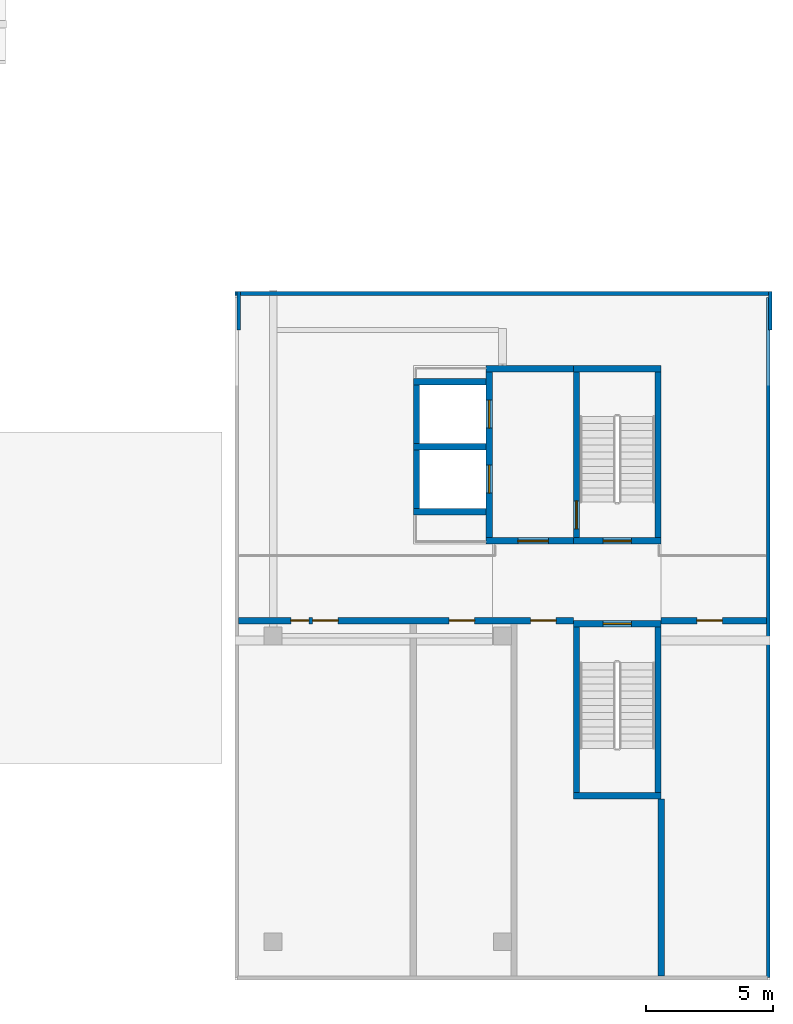
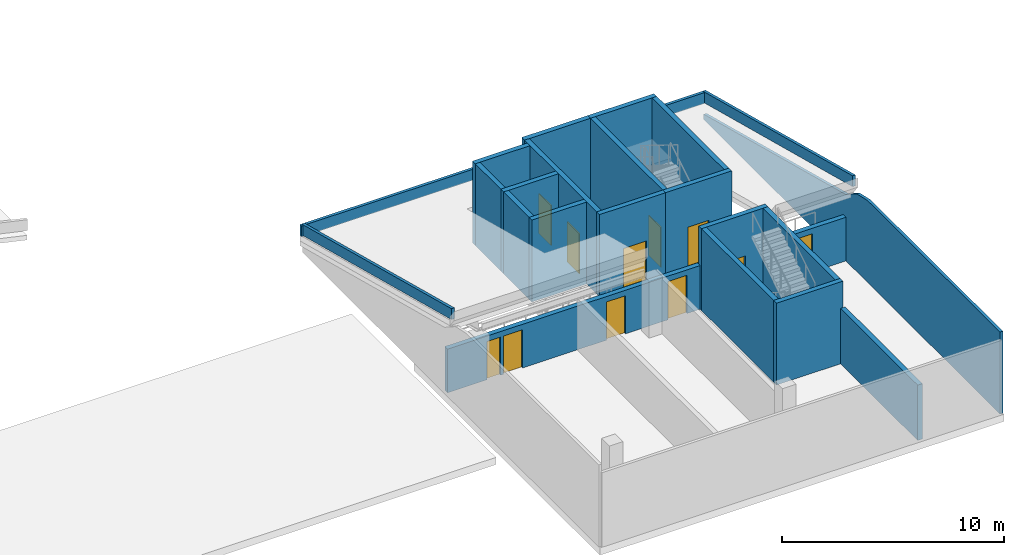
# One storey, part 2 of 4: 23 walls, 11 doors, 11 openings.
"""IFC4 building model written with IfcOpenShell, lengths in metres."""

from ifc_helpers import new_model, si_unit, direction, frame, frame_2d, origin, place, context, subcontext, project, spatial, polyline, rectangle, outline, extrude, material, layer, layer_set, type_object, element, fill, save


model = new_model("IFC4")

# Units and contexts
model_context = context("Model", 3, precision=1e-05, world=origin(), true_north=direction((0.0, 1.0)))
body_context = subcontext(model_context, "Body", "Model", "MODEL_VIEW")
ifc_project = project(units=[si_unit("LENGTHUNIT", "METRE"), si_unit("AREAUNIT", "SQUARE_METRE"), si_unit("VOLUMEUNIT", "CUBIC_METRE"), si_unit("PLANEANGLEUNIT", "RADIAN"), si_unit("MASSUNIT", "GRAM", prefix="KILO")], contexts=[model_context])

# Site, building, storey
site_placement = place(None, origin())
site = spatial("IfcSite", under=ifc_project, at=site_placement, CompositionType="ELEMENT")
building_placement = place(site_placement, origin())
building = spatial("IfcBuilding", under=site, at=building_placement, Name="Chenar Terraces", CompositionType="ELEMENT")
storey_placement = place(building_placement, frame((0.0, 0.0, 388.89990234375)))
storey = spatial("IfcBuildingStorey", under=building, at=storey_placement, Name="L91", CompositionType="ELEMENT", Elevation=388.89990234375)

# Wall, opening, door
ifc_material_1 = material(Name="Concrete C40/50", Category="concrete")
ifc_layer_1 = layer(ifc_material_1, 0.25)
ifc_layer_set_1 = layer_set([ifc_layer_1], Name="Concrete C40/50")
wall_type_1 = type_object("IfcWallType", Name="Core wall 250 Concrete C40/50", PredefinedType="SHEAR", material=ifc_layer_set_1)
wall_1_placement = place(storey_placement, frame((47.77490234375, 15.72509765625, 0.0), z_axis=(0.0, 0.0, 1.0), x_axis=(1.0, 0.0, 0.0)))
wall_1 = element("IfcWall", 1, at=wall_1_placement, inside=storey, type_object=wall_type_1, Name="Core wall ST3_S L91", PredefinedType="SHEAR", context=body_context, shape_type="SweptSolid", body=[
    extrude(rectangle(XDim=3.4501953125, YDim=0.25, at=frame_2d((1.72509765625, 0.0))), origin(), (0.0, 0.0, 1.0), 4.5),
])
opening_1_placement = place(wall_1_placement, frame((1.175048828125, 0.0, 0.0)))
opening_1 = element("IfcOpeningElement", 2, at=opening_1_placement, cuts=wall_1, Name="Opening DL91-C1", PredefinedType="OPENING", context=body_context, shape_type="SweptSolid", body=[
    extrude(rectangle(XDim=1.10009765625, YDim=2.199951171875, at=frame_2d((0.550048828125, 1.10009765625))), frame((0.0, 0.135009765625, 0.0), z_axis=(0.0, -1.0, 0.0), x_axis=(1.0, 0.0, 0.0)), (0.0, 0.0, 1.0), 0.27001953125),
])
ifc_material_2 = material(Name="Steel-framed fire-resisting door leaf", Category="steel")
door_type_1 = type_object("IfcDoorType", Name="Stair fire door FD60 1100 x 2200", OperationType="SINGLE_SWING_LEFT", PredefinedType="DOOR", material=ifc_material_2)
door_1_placement = place(opening_1_placement, frame((1.10009765625, 0.0, 0.0), z_axis=(0.0, 0.0, 1.0), x_axis=(-1.0, 0.0, 0.0)))
door_1 = element("IfcDoor", 3, at=door_1_placement, inside=storey, type_object=door_type_1, Name="Stair door DL91-C1", OperationType="SINGLE_SWING_LEFT", OverallHeight=2.199951171875, OverallWidth=1.10009765625, PredefinedType="DOOR", context=body_context, shape_type="SweptSolid", body=[
    extrude(rectangle(XDim=1.10009765625, YDim=2.199951171875, at=frame_2d((0.550048828125, 1.10009765625))), frame((0.0, 0.02490234375, 0.0), z_axis=(0.0, -1.0, 0.0), x_axis=(1.0, 0.0, 0.0)), (0.0, 0.0, 1.0), 0.050048828125),
])
fill(opening_1, door_1)

# Wall
wall_2_placement = place(storey_placement, frame((47.77490234375, 22.47509765625, 0.0), z_axis=(0.0, 0.0, 1.0), x_axis=(1.0, 0.0, 0.0)))
element("IfcWall", 4, at=wall_2_placement, inside=storey, type_object=wall_type_1, Name="Core wall ST3_N L91", PredefinedType="SHEAR", context=body_context, shape_type="SweptSolid", body=[
    extrude(rectangle(XDim=3.4501953125, YDim=0.25, at=frame_2d((1.72509765625, 0.0))), origin(), (0.0, 0.0, 1.0), 4.5),
])

# Wall, opening, door
wall_3_placement = place(storey_placement, frame((47.89990234375, 15.85009765625, 0.0), z_axis=(0.0, 0.0, 1.0), x_axis=(0.0, 1.0, 0.0)))
wall_3 = element("IfcWall", 5, at=wall_3_placement, inside=storey, type_object=wall_type_1, Name="Core wall ST3_W L91", PredefinedType="SHEAR", context=body_context, shape_type="SweptSolid", body=[
    extrude(rectangle(XDim=6.5, YDim=0.25, at=frame_2d((3.25, 0.0))), origin(), (0.0, 0.0, 1.0), 4.5),
])
opening_2_placement = place(wall_3_placement, frame((0.35009765625, 0.0, 0.0)))
opening_2 = element("IfcOpeningElement", 6, at=opening_2_placement, cuts=wall_3, Name="Opening DL91-C5", PredefinedType="OPENING", context=body_context, shape_type="SweptSolid", body=[
    extrude(rectangle(XDim=1.10009765625, YDim=2.199951171875, at=frame_2d((0.550048828125, 1.10009765625))), frame((0.0, 0.135009765625, 0.0), z_axis=(0.0, -1.0, 0.0), x_axis=(1.0, 0.0, 0.0)), (0.0, 0.0, 1.0), 0.27001953125),
])
door_2_placement = place(opening_2_placement, frame((1.10009765625, 0.0, 0.0), z_axis=(0.0, 0.0, 1.0), x_axis=(-1.0, 0.0, 0.0)))
door_2 = element("IfcDoor", 7, at=door_2_placement, inside=storey, type_object=door_type_1, Name="Stair door DL91-C5", OperationType="SINGLE_SWING_RIGHT", OverallHeight=2.199951171875, OverallWidth=1.10009765625, PredefinedType="DOOR", context=body_context, shape_type="SweptSolid", body=[
    extrude(rectangle(XDim=1.10009765625, YDim=2.199951171875, at=frame_2d((0.550048828125, 1.10009765625))), frame((0.0, 0.02490234375, 0.0), z_axis=(0.0, -1.0, 0.0), x_axis=(1.0, 0.0, 0.0)), (0.0, 0.0, 1.0), 0.050048828125),
])
fill(opening_2, door_2)

# Walls
wall_4_placement = place(storey_placement, frame((51.10009765625, 15.85009765625, 0.0), z_axis=(0.0, 0.0, 1.0), x_axis=(0.0, 1.0, 0.0)))
element("IfcWall", 8, at=wall_4_placement, inside=storey, type_object=wall_type_1, Name="Core wall ST3_E L91", PredefinedType="SHEAR", context=body_context, shape_type="SweptSolid", body=[
    extrude(rectangle(XDim=6.5, YDim=0.25, at=frame_2d((3.25, 0.0))), origin(), (0.0, 0.0, 1.0), 4.5),
])
wall_5_placement = place(storey_placement, frame((47.77490234375, 5.72509765625, 0.0), z_axis=(0.0, 0.0, 1.0), x_axis=(1.0, 0.0, 0.0)))
element("IfcWall", 9, at=wall_5_placement, inside=storey, type_object=wall_type_1, Name="Core wall ST5_S L91", PredefinedType="SHEAR", context=body_context, shape_type="SweptSolid", body=[
    extrude(rectangle(XDim=3.4501953125, YDim=0.25, at=frame_2d((1.72509765625, 0.0))), origin(), (0.0, 0.0, 1.0), 4.5),
])

# Wall, opening, door
wall_6_placement = place(storey_placement, frame((47.77490234375, 12.47509765625, 0.0), z_axis=(0.0, 0.0, 1.0), x_axis=(1.0, 0.0, 0.0)))
wall_6 = element("IfcWall", 10, at=wall_6_placement, inside=storey, type_object=wall_type_1, Name="Core wall ST5_N L91", PredefinedType="SHEAR", context=body_context, shape_type="SweptSolid", body=[
    extrude(rectangle(XDim=3.4501953125, YDim=0.25, at=frame_2d((1.72509765625, 0.0))), origin(), (0.0, 0.0, 1.0), 4.5),
])
opening_3_placement = place(wall_6_placement, frame((1.175048828125, 0.0, 0.0)))
opening_3 = element("IfcOpeningElement", 11, at=opening_3_placement, cuts=wall_6, Name="Opening DL91-C2", PredefinedType="OPENING", context=body_context, shape_type="SweptSolid", body=[
    extrude(rectangle(XDim=1.10009765625, YDim=2.199951171875, at=frame_2d((0.550048828125, 1.10009765625))), frame((0.0, 0.135009765625, 0.0), z_axis=(0.0, -1.0, 0.0), x_axis=(1.0, 0.0, 0.0)), (0.0, 0.0, 1.0), 0.27001953125),
])
door_3_placement = place(opening_3_placement, frame((1.10009765625, 0.0, 0.0), z_axis=(0.0, 0.0, 1.0), x_axis=(-1.0, 0.0, 0.0)))
door_3 = element("IfcDoor", 12, at=door_3_placement, inside=storey, type_object=door_type_1, Name="Stair door DL91-C2", OperationType="SINGLE_SWING_LEFT", OverallHeight=2.199951171875, OverallWidth=1.10009765625, PredefinedType="DOOR", context=body_context, shape_type="SweptSolid", body=[
    extrude(rectangle(XDim=1.10009765625, YDim=2.199951171875, at=frame_2d((0.550048828125, 1.10009765625))), frame((0.0, 0.02490234375, 0.0), z_axis=(0.0, -1.0, 0.0), x_axis=(1.0, 0.0, 0.0)), (0.0, 0.0, 1.0), 0.050048828125),
])
fill(opening_3, door_3)

# Walls
for number, where, z_axis, x_axis, name in (
    (13, (47.89990234375, 5.85009765625, 0.0), (0.0, 0.0, 1.0), (0.0, 1.0, 0.0), "Core wall ST5_W L91"),
    (14, (51.10009765625, 5.85009765625, 0.0), (0.0, 0.0, 1.0), (0.0, 1.0, 0.0), "Core wall ST5_E L91"),
):
    element("IfcWall", number, at=place(storey_placement, frame(where, z_axis=z_axis, x_axis=x_axis)), inside=storey, type_object=wall_type_1, Name=name, PredefinedType="SHEAR", context=body_context, shape_type="SweptSolid", body=[
        extrude(rectangle(XDim=6.5, YDim=0.25, at=frame_2d((3.25, 0.0))), origin(), (0.0, 0.0, 1.0), 4.5),
    ])

# Wall, opening, door
wall_7_placement = place(storey_placement, frame((44.35009765625, 15.72509765625, 0.0), z_axis=(0.0, 0.0, 1.0), x_axis=(1.0, 0.0, 0.0)))
wall_7 = element("IfcWall", 15, at=wall_7_placement, inside=storey, type_object=wall_type_1, Name="Core wall F3_LS L91", PredefinedType="SHEAR", context=body_context, shape_type="SweptSolid", body=[
    extrude(rectangle(XDim=3.4248046875, YDim=0.25, at=frame_2d((1.71240234375, 0.0))), origin(), (0.0, 0.0, 1.0), 4.5),
])
opening_4_placement = place(wall_7_placement, frame((1.25, 0.0, 0.0)))
opening_4 = element("IfcOpeningElement", 16, at=opening_4_placement, cuts=wall_7, Name="Opening DL91-C4", PredefinedType="OPENING", context=body_context, shape_type="SweptSolid", body=[
    extrude(rectangle(XDim=1.199951171875, YDim=2.199951171875, at=frame_2d((0.60009765625, 1.10009765625))), frame((0.0, 0.135009765625, 0.0), z_axis=(0.0, -1.0, 0.0), x_axis=(1.0, 0.0, 0.0)), (0.0, 0.0, 1.0), 0.27001953125),
])
ifc_material_3 = material(Name="Steel-framed fire-resisting door leaf", Category="steel")
door_type_2 = type_object("IfcDoorType", Name="Lobby fire door FD60 1200 x 2200", OperationType="SINGLE_SWING_LEFT", PredefinedType="DOOR", material=ifc_material_3)
door_4_placement = place(opening_4_placement, frame((1.199951171875, 0.0, 0.0), z_axis=(0.0, 0.0, 1.0), x_axis=(-1.0, 0.0, 0.0)))
door_4 = element("IfcDoor", 17, at=door_4_placement, inside=storey, type_object=door_type_2, Name="Core door DL91-C4", OperationType="SINGLE_SWING_LEFT", OverallHeight=2.199951171875, OverallWidth=1.199951171875, PredefinedType="DOOR", context=body_context, shape_type="SweptSolid", body=[
    extrude(rectangle(XDim=1.199951171875, YDim=2.199951171875, at=frame_2d((0.60009765625, 1.10009765625))), frame((0.0, 0.02490234375, 0.0), z_axis=(0.0, -1.0, 0.0), x_axis=(1.0, 0.0, 0.0)), (0.0, 0.0, 1.0), 0.050048828125),
])
fill(opening_4, door_4)

# Wall
wall_8_placement = place(storey_placement, frame((44.35009765625, 22.47509765625, 0.0), z_axis=(0.0, 0.0, 1.0), x_axis=(1.0, 0.0, 0.0)))
element("IfcWall", 18, at=wall_8_placement, inside=storey, type_object=wall_type_1, Name="Core wall F3_LN L91", PredefinedType="SHEAR", context=body_context, shape_type="SweptSolid", body=[
    extrude(rectangle(XDim=3.4248046875, YDim=0.25, at=frame_2d((1.71240234375, 0.0))), origin(), (0.0, 0.0, 1.0), 4.5),
])

# Wall, openings, doors
wall_9_placement = place(storey_placement, frame((44.47509765625, 15.85009765625, 0.0), z_axis=(0.0, 0.0, 1.0), x_axis=(0.0, 1.0, 0.0)))
wall_9 = element("IfcWall", 19, at=wall_9_placement, inside=storey, type_object=wall_type_1, Name="Core wall F3_LW L91", PredefinedType="SHEAR", context=body_context, shape_type="SweptSolid", body=[
    extrude(rectangle(XDim=6.5, YDim=0.25, at=frame_2d((3.25, 0.0))), origin(), (0.0, 0.0, 1.0), 4.5),
])
opening_5_placement = place(wall_9_placement, frame((1.75, 0.0, 0.0)))
opening_5 = element("IfcOpeningElement", 20, at=opening_5_placement, cuts=wall_9, Name="Opening DL91-LD1", PredefinedType="OPENING", context=body_context, shape_type="SweptSolid", body=[
    extrude(rectangle(XDim=1.10009765625, YDim=2.199951171875, at=frame_2d((0.550048828125, 1.10009765625))), frame((0.0, 0.135009765625, 0.0), z_axis=(0.0, -1.0, 0.0), x_axis=(1.0, 0.0, 0.0)), (0.0, 0.0, 1.0), 0.27001953125),
])
opening_6_placement = place(wall_9_placement, frame((4.300048828125, 0.0, 0.0)))
opening_6 = element("IfcOpeningElement", 21, at=opening_6_placement, cuts=wall_9, Name="Opening DL91-LD2", PredefinedType="OPENING", context=body_context, shape_type="SweptSolid", body=[
    extrude(rectangle(XDim=1.10009765625, YDim=2.199951171875, at=frame_2d((0.550048828125, 1.10009765625))), frame((0.0, 0.135009765625, 0.0), z_axis=(0.0, -1.0, 0.0), x_axis=(1.0, 0.0, 0.0)), (0.0, 0.0, 1.0), 0.27001953125),
])
ifc_material_4 = material(Name="Stainless steel", Category="steel")
door_type_3 = type_object("IfcDoorType", Name="Lift landing door 1100 x 2200 sliding", OperationType="DOUBLE_DOOR_SLIDING", PredefinedType="DOOR", material=ifc_material_4)
door_5_placement = place(opening_5_placement, origin())
door_5 = element("IfcDoor", 22, at=door_5_placement, inside=storey, type_object=door_type_3, Name="Landing door F3", OperationType="DOUBLE_DOOR_SLIDING", OverallHeight=2.199951171875, OverallWidth=1.10009765625, PredefinedType="DOOR", context=body_context, shape_type="SweptSolid", body=[
    extrude(rectangle(XDim=1.10009765625, YDim=2.199951171875, at=frame_2d((0.550048828125, 1.10009765625))), frame((0.0, 0.02490234375, 0.0), z_axis=(0.0, -1.0, 0.0), x_axis=(1.0, 0.0, 0.0)), (0.0, 0.0, 1.0), 0.050048828125),
])
fill(opening_5, door_5)
door_6_placement = place(opening_6_placement, origin())
door_6 = element("IfcDoor", 23, at=door_6_placement, inside=storey, type_object=door_type_3, Name="Landing door F4", OperationType="DOUBLE_DOOR_SLIDING", OverallHeight=2.199951171875, OverallWidth=1.10009765625, PredefinedType="DOOR", context=body_context, shape_type="SweptSolid", body=[
    extrude(rectangle(XDim=1.10009765625, YDim=2.199951171875, at=frame_2d((0.550048828125, 1.10009765625))), frame((0.0, 0.02490234375, 0.0), z_axis=(0.0, -1.0, 0.0), x_axis=(1.0, 0.0, 0.0)), (0.0, 0.0, 1.0), 0.050048828125),
])
fill(opening_6, door_6)

# Walls
for number, where, z_axis, x_axis, name in (
    (24, (41.5, 16.875, 0.0), (0.0, 0.0, 1.0), (1.0, 0.0, 0.0), "Core wall F3_SS L91"),
    (25, (41.5, 19.425048828125, 0.0), (0.0, 0.0, 1.0), (1.0, 0.0, 0.0), "Core wall F3_SM L91"),
    (26, (41.5, 21.97509765625, 0.0), (0.0, 0.0, 1.0), (1.0, 0.0, 0.0), "Core wall F4_SN L91"),
):
    element("IfcWall", number, at=place(storey_placement, frame(where, z_axis=z_axis, x_axis=x_axis)), inside=storey, type_object=wall_type_1, Name=name, PredefinedType="SHEAR", context=body_context, shape_type="SweptSolid", body=[
        extrude(rectangle(XDim=2.85009765625, YDim=0.25, at=frame_2d((1.425048828125, 0.0))), origin(), (0.0, 0.0, 1.0), 4.5),
    ])
for number, where, z_axis, x_axis, name in (
    (27, (41.625, 17.0, 0.0), (0.0, 0.0, 1.0), (0.0, 1.0, 0.0), "Core wall F3_SW L91"),
    (28, (41.625, 19.550048828125, 0.0), (0.0, 0.0, 1.0), (0.0, 1.0, 0.0), "Core wall F4_SW L91"),
):
    element("IfcWall", number, at=place(storey_placement, frame(where, z_axis=z_axis, x_axis=x_axis)), inside=storey, type_object=wall_type_1, Name=name, PredefinedType="SHEAR", context=body_context, shape_type="SweptSolid", body=[
        extrude(rectangle(XDim=2.300048828125, YDim=0.25, at=frame_2d((1.14990234375, 0.0))), origin(), (0.0, 0.0, 1.0), 4.5),
    ])
ifc_material_5 = material(Name="Terracotta cladding on insulated backing", Category="masonry")
ifc_layer_2 = layer(ifc_material_5, 0.14990234375)
ifc_layer_set_2 = layer_set([ifc_layer_2], Name="Terracotta cladding on insulated backing")
wall_type_2 = type_object("IfcWallType", Name="Crown parapet 150", PredefinedType="PARAPET", material=ifc_layer_set_2)
for number, where, z_axis, x_axis, name in (
    (29, (34.574951171875, 25.5, 0.81005859375), (-1.0, 0.0, 0.0), (0.0, -0.967531929332, 0.25274881943), "Crown parapet"),
    (30, (55.425048828125, 25.5, 0.81005859375), (-1.0, 0.0, 0.0), (0.0, -0.967531929332, 0.25274881943), "Crown parapet"),
):
    element("IfcWall", number, at=place(storey_placement, frame(where, z_axis=z_axis, x_axis=x_axis)), inside=storey, type_object=wall_type_2, Name=name, PredefinedType="PARAPET", context=body_context, shape_type="SweptSolid", body=[
        extrude(outline(polyline([(0.0, 0.0), (13.953027895752935, -8.881784197001252e-16), (14.104701869912816, 0.5806136431391278), (0.1516739741598798, 0.5806136431391286), (0.0, 0.0)])), origin(), (0.0, 0.0, -1.0), 0.14990234375),
    ])
wall_10_placement = place(storey_placement, frame((34.5, 25.425048828125, 0.81005859375), z_axis=(0.0, 0.0, 1.0), x_axis=(1.0, 0.0, 0.0)))
element("IfcWall", 31, at=wall_10_placement, inside=storey, type_object=wall_type_2, Name="Crown parapet", PredefinedType="PARAPET", context=body_context, shape_type="SweptSolid", body=[
    extrude(rectangle(XDim=21.0, YDim=0.14990234375, at=frame_2d((10.5, 0.0))), origin(), (0.0, 0.0, 1.0), 0.60009765625),
])
ifc_material_6 = material(Name="Terracotta cladding on insulated backing", Category="masonry")
ifc_layer_3 = layer(ifc_material_6, 0.14990234375)
ifc_layer_set_3 = layer_set([ifc_layer_3], Name="Terracotta cladding on insulated backing")
wall_type_3 = type_object("IfcWallType", Name="Crown terracotta wall 150", PredefinedType="SOLIDWALL", material=ifc_layer_set_3)
wall_11_placement = place(storey_placement, frame((55.425048828125, -1.39990234375, 0.0), z_axis=(0.0, 0.0, 1.0), x_axis=(0.0, 1.0, 0.0)))
element("IfcWall", 32, at=wall_11_placement, inside=storey, type_object=wall_type_3, Name="Crown terracotta wall", PredefinedType="SOLIDWALL", context=body_context, shape_type="SweptSolid", body=[
    extrude(outline(polyline([(0.0, 0.0), (26.67626953125, 0.0), (26.676513671875, 0.300048828125), (13.896240234375, 3.63818359375), (12.90380859375, 4.279052734375), (11.9111328125, 4.5), (0.0, 4.5), (0.0, 0.0)])), frame((0.0, 0.074951171875, 0.0), z_axis=(0.0, -1.0, 0.0), x_axis=(1.0, 0.0, 0.0)), (0.0, 0.0, 1.0), 0.14990234375),
])

# Wall, openings, doors
ifc_material_7 = material(Name="Fire-board and steel stud wall with mineral wool", Category="steel")
ifc_layer_4 = layer(ifc_material_7, 0.25)
ifc_layer_set_4 = layer_set([ifc_layer_4], Name="Fire-board and steel stud wall with mineral wool")
wall_type_4 = type_object("IfcWallType", Name="Plant room wall 250", PredefinedType="PARTITIONING", material=ifc_layer_set_4)
wall_12_placement = place(storey_placement, frame((34.64990234375, 12.60009765625, 0.0), z_axis=(0.0, 0.0, 1.0), x_axis=(1.0, 0.0, 0.0)))
wall_12 = element("IfcWall", 33, at=wall_12_placement, inside=storey, type_object=wall_type_4, Name="Partition L91-005", PredefinedType="PARTITIONING", context=body_context, shape_type="SweptSolid", body=[
    extrude(rectangle(XDim=13.125, YDim=0.25, at=frame_2d((6.5625, 0.0))), origin(), (0.0, 0.0, 1.0), 2.400146484375),
])
opening_7_placement = place(wall_12_placement, frame((2.89990234375, 0.0, 0.0)))
opening_7 = element("IfcOpeningElement", 34, at=opening_7_placement, cuts=wall_12, Name="Opening DL91-1", PredefinedType="OPENING", context=body_context, shape_type="SweptSolid", body=[
    extrude(rectangle(XDim=1.0, YDim=2.10009765625, at=frame_2d((0.5, 1.050048828125))), frame((0.0, 0.135009765625, 0.0), z_axis=(0.0, -1.0, 0.0), x_axis=(1.0, 0.0, 0.0)), (0.0, 0.0, 1.0), 0.27001953125),
])
opening_8_placement = place(wall_12_placement, frame((2.050048828125, 0.0, 0.0)))
opening_8 = element("IfcOpeningElement", 35, at=opening_8_placement, cuts=wall_12, Name="Opening DL91-2", PredefinedType="OPENING", context=body_context, shape_type="SweptSolid", body=[
    extrude(rectangle(XDim=0.699951171875, YDim=2.10009765625, at=frame_2d((0.35009765625, 1.050048828125))), frame((0.0, 0.135009765625, 0.0), z_axis=(0.0, -1.0, 0.0), x_axis=(1.0, 0.0, 0.0)), (0.0, 0.0, 1.0), 0.27001953125),
])
opening_9_placement = place(wall_12_placement, frame((8.25, 0.0, 0.0)))
opening_9 = element("IfcOpeningElement", 36, at=opening_9_placement, cuts=wall_12, Name="Opening DL91-3", PredefinedType="OPENING", context=body_context, shape_type="SweptSolid", body=[
    extrude(rectangle(XDim=1.0, YDim=2.10009765625, at=frame_2d((0.5, 1.050048828125))), frame((0.0, 0.135009765625, 0.0), z_axis=(0.0, -1.0, 0.0), x_axis=(1.0, 0.0, 0.0)), (0.0, 0.0, 1.0), 0.27001953125),
])
opening_10_placement = place(wall_12_placement, frame((11.449951171875, 0.0, 0.0)))
opening_10 = element("IfcOpeningElement", 37, at=opening_10_placement, cuts=wall_12, Name="Opening DL91-4", PredefinedType="OPENING", context=body_context, shape_type="SweptSolid", body=[
    extrude(rectangle(XDim=1.0, YDim=2.10009765625, at=frame_2d((0.5, 1.050048828125))), frame((0.0, 0.135009765625, 0.0), z_axis=(0.0, -1.0, 0.0), x_axis=(1.0, 0.0, 0.0)), (0.0, 0.0, 1.0), 0.27001953125),
])
ifc_material_8 = material(Name="Steel-framed fire-resisting door leaf", Category="steel")
door_type_4 = type_object("IfcDoorType", Name="Fire door FD120 1000 x 2100", OperationType="SINGLE_SWING_LEFT", PredefinedType="DOOR", material=ifc_material_8)
door_7_placement = place(opening_7_placement, frame((1.0, 0.0, 0.0), z_axis=(0.0, 0.0, 1.0), x_axis=(-1.0, 0.0, 0.0)))
door_7 = element("IfcDoor", 38, at=door_7_placement, inside=storey, type_object=door_type_4, Name="Door DL91-1", OperationType="SINGLE_SWING_RIGHT", OverallHeight=2.10009765625, OverallWidth=1.0, PredefinedType="DOOR", context=body_context, shape_type="SweptSolid", body=[
    extrude(rectangle(XDim=1.0, YDim=2.10009765625, at=frame_2d((0.5, 1.050048828125))), frame((0.0, 0.02490234375, 0.0), z_axis=(0.0, -1.0, 0.0), x_axis=(1.0, 0.0, 0.0)), (0.0, 0.0, 1.0), 0.050048828125),
])
fill(opening_7, door_7)
door_8_placement = place(opening_9_placement, frame((1.0, 0.0, 0.0), z_axis=(0.0, 0.0, 1.0), x_axis=(-1.0, 0.0, 0.0)))
door_8 = element("IfcDoor", 39, at=door_8_placement, inside=storey, type_object=door_type_4, Name="Door DL91-3", OperationType="SINGLE_SWING_RIGHT", OverallHeight=2.10009765625, OverallWidth=1.0, PredefinedType="DOOR", context=body_context, shape_type="SweptSolid", body=[
    extrude(rectangle(XDim=1.0, YDim=2.10009765625, at=frame_2d((0.5, 1.050048828125))), frame((0.0, 0.02490234375, 0.0), z_axis=(0.0, -1.0, 0.0), x_axis=(1.0, 0.0, 0.0)), (0.0, 0.0, 1.0), 0.050048828125),
])
fill(opening_9, door_8)
door_9_placement = place(opening_10_placement, frame((1.0, 0.0, 0.0), z_axis=(0.0, 0.0, 1.0), x_axis=(-1.0, 0.0, 0.0)))
door_9 = element("IfcDoor", 40, at=door_9_placement, inside=storey, type_object=door_type_4, Name="Door DL91-4", OperationType="SINGLE_SWING_RIGHT", OverallHeight=2.10009765625, OverallWidth=1.0, PredefinedType="DOOR", context=body_context, shape_type="SweptSolid", body=[
    extrude(rectangle(XDim=1.0, YDim=2.10009765625, at=frame_2d((0.5, 1.050048828125))), frame((0.0, 0.02490234375, 0.0), z_axis=(0.0, -1.0, 0.0), x_axis=(1.0, 0.0, 0.0)), (0.0, 0.0, 1.0), 0.050048828125),
])
fill(opening_10, door_9)
ifc_material_9 = material(Name="Steel-framed fire-resisting door leaf", Category="steel")
door_type_5 = type_object("IfcDoorType", Name="Fire door FD120 700 x 2100", OperationType="SINGLE_SWING_LEFT", PredefinedType="DOOR", material=ifc_material_9)
door_10_placement = place(opening_8_placement, frame((0.699951171875, 0.0, 0.0), z_axis=(0.0, 0.0, 1.0), x_axis=(-1.0, 0.0, 0.0)))
door_10 = element("IfcDoor", 41, at=door_10_placement, inside=storey, type_object=door_type_5, Name="Door DL91-2", OperationType="SINGLE_SWING_LEFT", OverallHeight=2.10009765625, OverallWidth=0.699951171875, PredefinedType="DOOR", context=body_context, shape_type="SweptSolid", body=[
    extrude(rectangle(XDim=0.699951171875, YDim=2.10009765625, at=frame_2d((0.35009765625, 1.050048828125))), frame((0.0, 0.02490234375, 0.0), z_axis=(0.0, -1.0, 0.0), x_axis=(1.0, 0.0, 0.0)), (0.0, 0.0, 1.0), 0.050048828125),
])
fill(opening_8, door_10)

# Wall
wall_13_placement = place(storey_placement, frame((51.22509765625, -1.35009765625, 0.0), z_axis=(0.0, 0.0, 1.0), x_axis=(0.0, 1.0, 0.0)))
element("IfcWall", 42, at=wall_13_placement, inside=storey, type_object=wall_type_4, Name="Partition L91-008", PredefinedType="PARTITIONING", context=body_context, shape_type="SweptSolid", body=[
    extrude(rectangle(XDim=6.9501953125, YDim=0.25, at=frame_2d((3.47509765625, 0.0))), origin(), (0.0, 0.0, 1.0), 3.045166015625),
])

# Wall, opening, door
wall_14_placement = place(storey_placement, frame((51.22509765625, 12.60009765625, 0.0), z_axis=(0.0, 0.0, 1.0), x_axis=(1.0, 0.0, 0.0)))
wall_14 = element("IfcWall", 43, at=wall_14_placement, inside=storey, type_object=wall_type_4, Name="Partition L91-009", PredefinedType="PARTITIONING", context=body_context, shape_type="SweptSolid", body=[
    extrude(rectangle(XDim=4.125, YDim=0.25, at=frame_2d((2.0625, 0.0))), origin(), (0.0, 0.0, 1.0), 2.400146484375),
])
opening_11_placement = place(wall_14_placement, frame((1.39990234375, 0.0, 0.0)))
opening_11 = element("IfcOpeningElement", 44, at=opening_11_placement, cuts=wall_14, Name="Opening DL91-5", PredefinedType="OPENING", context=body_context, shape_type="SweptSolid", body=[
    extrude(rectangle(XDim=1.0, YDim=2.10009765625, at=frame_2d((0.5, 1.050048828125))), frame((0.0, 0.135009765625, 0.0), z_axis=(0.0, -1.0, 0.0), x_axis=(1.0, 0.0, 0.0)), (0.0, 0.0, 1.0), 0.27001953125),
])
door_11_placement = place(opening_11_placement, frame((1.0, 0.0, 0.0), z_axis=(0.0, 0.0, 1.0), x_axis=(-1.0, 0.0, 0.0)))
door_11 = element("IfcDoor", 45, at=door_11_placement, inside=storey, type_object=door_type_4, Name="Door DL91-5", OperationType="SINGLE_SWING_RIGHT", OverallHeight=2.10009765625, OverallWidth=1.0, PredefinedType="DOOR", context=body_context, shape_type="SweptSolid", body=[
    extrude(rectangle(XDim=1.0, YDim=2.10009765625, at=frame_2d((0.5, 1.050048828125))), frame((0.0, 0.02490234375, 0.0), z_axis=(0.0, -1.0, 0.0), x_axis=(1.0, 0.0, 0.0)), (0.0, 0.0, 1.0), 0.050048828125),
])
fill(opening_11, door_11)

save(model, "model.ifc")
